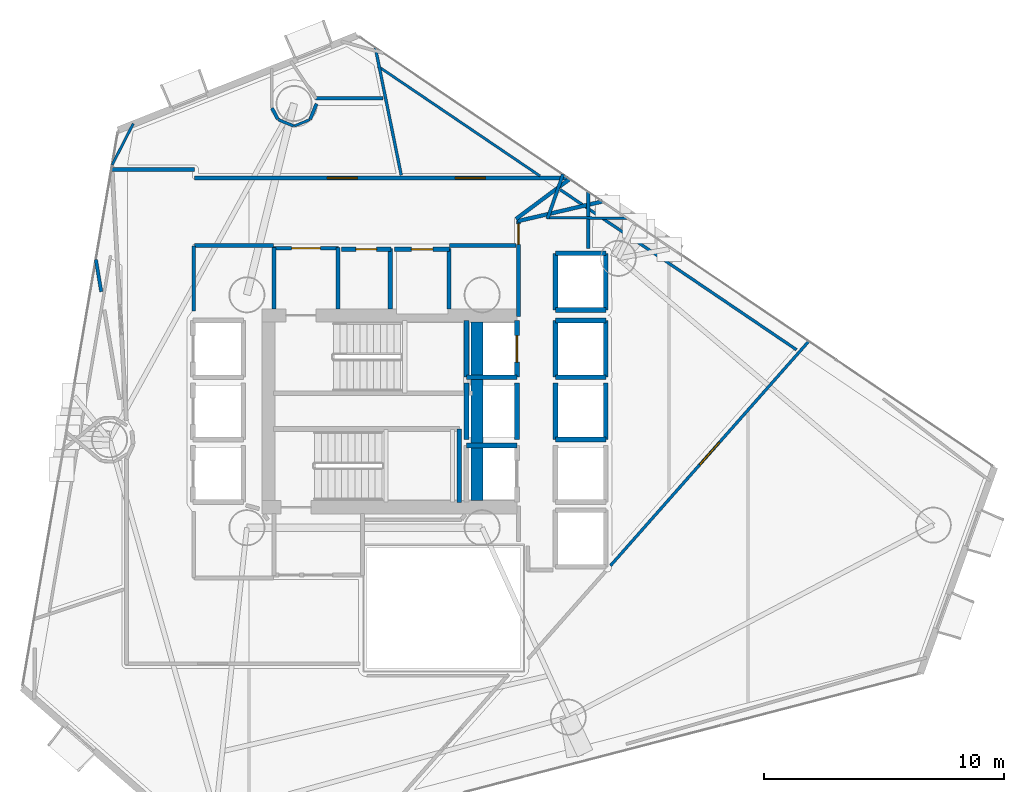
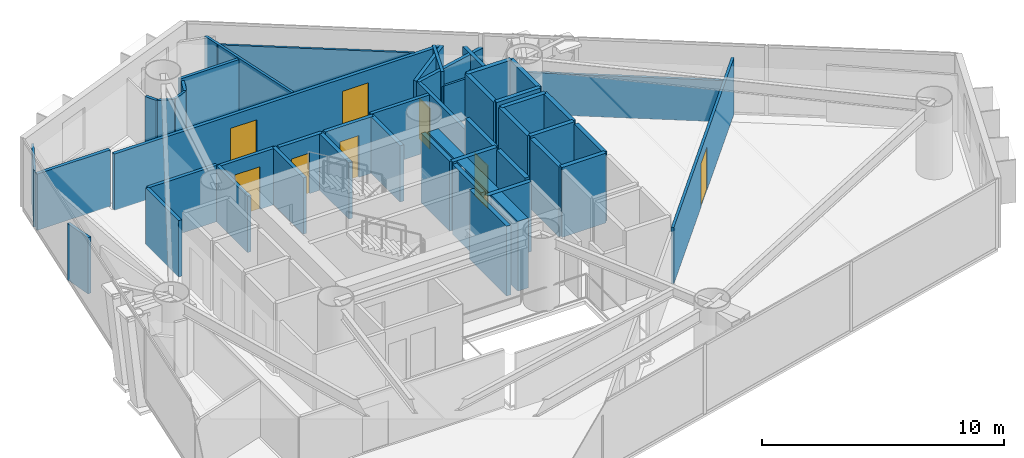
# One storey, part 17 of 21: 48 walls, 8 doors, 8 openings.
"""IFC4 building model written with IfcOpenShell, lengths in metres."""

from ifc_helpers import new_model, si_unit, direction, frame, frame_2d, origin, place, context, subcontext, project, spatial, rectangle, extrude, material, layer, layer_set, type_object, element, fill, save


model = new_model("IFC4")

# Units and contexts
model_context = context("Model", 3, precision=1e-05, world=origin(), true_north=direction((0.0, 1.0)))
body_context = subcontext(model_context, "Body", "Model", "MODEL_VIEW")
ifc_project = project(units=[si_unit("LENGTHUNIT", "METRE"), si_unit("AREAUNIT", "SQUARE_METRE"), si_unit("VOLUMEUNIT", "CUBIC_METRE"), si_unit("PLANEANGLEUNIT", "RADIAN"), si_unit("MASSUNIT", "GRAM", prefix="KILO")], contexts=[model_context])

# Site, building, storey
site_placement = place(None, origin())
site = spatial("IfcSite", under=ifc_project, at=site_placement, CompositionType="ELEMENT")
building_placement = place(site_placement, origin())
building = spatial("IfcBuilding", under=site, at=building_placement, Name="Qianvela Tower", CompositionType="ELEMENT")
storey_placement = place(building_placement, frame((0.0, 0.0, 112.60009765625)))
storey = spatial("IfcBuildingStorey", under=building, at=storey_placement, Name="L28", CompositionType="ELEMENT", Elevation=112.60009765625)

# Walls
ifc_material_1 = material(Name="Concrete C60", Category="concrete")
ifc_layer_1 = layer(ifc_material_1, 0.550048828125)
ifc_layer_set_1 = layer_set([ifc_layer_1], Name="Concrete C60")
wall_type_1 = type_object("IfcWallType", Name="WT-CORE-550", PredefinedType="SHEAR", material=ifc_layer_set_1)
wall_1_placement = place(storey_placement, frame((38.179931640625, 24.97998046875, 0.0), z_axis=(0.0, 0.0, 1.0), x_axis=(0.0, 1.0, 0.0)))
element("IfcWall", 1, at=wall_1_placement, inside=storey, type_object=wall_type_1, Name="L28 East Spine Core Shear Wall", PredefinedType="SHEAR", context=body_context, shape_type="SweptSolid", body=[
    extrude(rectangle(XDim=7.43994140625, YDim=0.5, at=frame_2d((3.719970703125, 0.0))), origin(), (0.0, 0.0, 1.0), 3.52001953125),
])
ifc_material_2 = material(Name="Fire-Rated Gypsum and Concrete Block", Category="concrete")
ifc_layer_2 = layer(ifc_material_2, 0.159912109375)
ifc_layer_set_2 = layer_set([ifc_layer_2], Name="Fire-Rated Gypsum and Concrete Block")
wall_type_2 = type_object("IfcWallType", Name="WT-CORR-160", PredefinedType="PARTITIONING", material=ifc_layer_set_2)
wall_2_placement = place(storey_placement, frame((29.73095703125, 32.9580078125, 0.0), z_axis=(0.0, 0.0, 1.0), x_axis=(0.0, 1.0, 0.0)))
element("IfcWall", 2, at=wall_2_placement, inside=storey, type_object=wall_type_2, Name="L28 Partition 2", PredefinedType="PARTITIONING", context=body_context, shape_type="SweptSolid", body=[
    extrude(rectangle(XDim=2.56201171875, YDim=0.159912109375, at=frame_2d((1.281005859375, 0.0))), origin(), (0.0, 0.0, 1.0), 2.83984375),
])

# Wall, opening, door
wall_3_placement = place(storey_placement, frame((29.699951171875, 35.489013671875, 0.0), z_axis=(0.0, 0.0, 1.0), x_axis=(1.0, 0.0, 0.0)))
wall_3 = element("IfcWall", 3, at=wall_3_placement, inside=storey, type_object=wall_type_2, Name="L28 Partition 3", PredefinedType="PARTITIONING", context=body_context, shape_type="SweptSolid", body=[
    extrude(rectangle(XDim=2.719970703125, YDim=0.159912109375, at=frame_2d((1.35986328125, 0.0))), origin(), (0.0, 0.0, 1.0), 2.83984375),
])
opening_1_placement = place(wall_3_placement, frame((0.760009765625, 0.0, 0.0)))
opening_1 = element("IfcOpeningElement", 4, at=opening_1_placement, cuts=wall_3, Name="Opening D-LB1", PredefinedType="OPENING", context=body_context, shape_type="SweptSolid", body=[
    extrude(rectangle(XDim=1.199951171875, YDim=2.14990234375, at=frame_2d((0.60009765625, 1.074951171875))), frame((0.0, 0.08984375, 0.0), z_axis=(0.0, -1.0, 0.0), x_axis=(1.0, 0.0, 0.0)), (0.0, 0.0, 1.0), 0.179931640625),
])
ifc_material_3 = material(Name="Glazed Fire-Rated Steel Frame", Category="steel")
door_type_1 = type_object("IfcDoorType", Name="DT-LOBBY-FD90", OperationType="NOTDEFINED", PredefinedType="DOOR", material=ifc_material_3)
door_1_placement = place(opening_1_placement, origin())
door_1 = element("IfcDoor", 5, at=door_1_placement, inside=storey, type_object=door_type_1, Name="L28 Door L28 Firefighting Lobby North to L28 Floor Corridor", OperationType="SINGLE_SWING_RIGHT", OverallHeight=2.14990234375, OverallWidth=1.199951171875, PredefinedType="DOOR", context=body_context, shape_type="SweptSolid", body=[
    extrude(rectangle(XDim=1.199951171875, YDim=2.14990234375, at=frame_2d((0.60009765625, 1.074951171875))), frame((0.0, 0.02490234375, 0.0), z_axis=(0.0, -1.0, 0.0), x_axis=(1.0, 0.0, 0.0)), (0.0, 0.0, 1.0), 0.050048828125),
])
fill(opening_1, door_1)

# Wall
wall_4_placement = place(storey_placement, frame((32.388916015625, 35.52001953125, 0.0), z_axis=(0.0, 0.0, 1.0), x_axis=(0.0, -1.0, 0.0)))
element("IfcWall", 6, at=wall_4_placement, inside=storey, type_object=wall_type_2, Name="L28 Partition 4", PredefinedType="PARTITIONING", context=body_context, shape_type="SweptSolid", body=[
    extrude(rectangle(XDim=2.56201171875, YDim=0.159912109375, at=frame_2d((1.281005859375, 0.0))), origin(), (0.0, 0.0, 1.0), 2.83984375),
])

# Wall, opening, door
wall_5_placement = place(storey_placement, frame((39.910888671875, 32.639892578125, 0.0), z_axis=(0.0, 0.0, 1.0), x_axis=(0.0, 1.0, 0.0)))
wall_5 = element("IfcWall", 7, at=wall_5_placement, inside=storey, type_object=wall_type_2, Name="L28 Partition 10", PredefinedType="PARTITIONING", context=body_context, shape_type="SweptSolid", body=[
    extrude(rectangle(XDim=4.010009765625, YDim=0.159912109375, at=frame_2d((2.0048828125, 0.0))), origin(), (0.0, 0.0, 1.0), 2.83984375),
])
opening_2_placement = place(wall_5_placement, frame((3.010009765625, 0.0, 0.0)))
opening_2 = element("IfcOpeningElement", 8, at=opening_2_placement, cuts=wall_5, Name="Opening D-LB2", PredefinedType="OPENING", context=body_context, shape_type="SweptSolid", body=[
    extrude(rectangle(XDim=0.860107421875, YDim=2.050048828125, at=frame_2d((0.43017578125, 1.02490234375))), frame((0.0, 0.08984375, 0.0), z_axis=(0.0, -1.0, 0.0), x_axis=(1.0, 0.0, 0.0)), (0.0, 0.0, 1.0), 0.179931640625),
])
ifc_material_4 = material(Name="Insulated Steel Fire Door Q355B", Category="steel")
door_type_2 = type_object("IfcDoorType", Name="DT-LOBBY-FD90-860", OperationType="NOTDEFINED", PredefinedType="DOOR", material=ifc_material_4)
door_2_placement = place(opening_2_placement, origin())
door_2 = element("IfcDoor", 9, at=door_2_placement, inside=storey, type_object=door_type_2, Name="L28 Door L28 Lift Lobby to L28 Floor Corridor", OperationType="SINGLE_SWING_LEFT", OverallHeight=2.050048828125, OverallWidth=0.860107421875, PredefinedType="DOOR", context=body_context, shape_type="SweptSolid", body=[
    extrude(rectangle(XDim=0.860107421875, YDim=2.050048828125, at=frame_2d((0.43017578125, 1.02490234375))), frame((0.0, 0.02490234375, 0.0), z_axis=(0.0, -1.0, 0.0), x_axis=(1.0, 0.0, 0.0)), (0.0, 0.0, 1.0), 0.050048828125),
])
fill(opening_2, door_2)

# Walls
wall_6_placement = place(storey_placement, frame((39.8798828125, 36.618896484375, 0.0), z_axis=(0.0, 0.0, 1.0), x_axis=(0.973960950435, 0.2267158288, 0.0)))
element("IfcWall", 10, at=wall_6_placement, inside=storey, type_object=wall_type_2, Name="L28 Partition 11", PredefinedType="PARTITIONING", context=body_context, shape_type="SweptSolid", body=[
    extrude(rectangle(XDim=3.620361328125, YDim=0.159912109375, at=frame_2d((1.81005859375, 0.0))), origin(), (0.0, 0.0, 1.0), 2.83984375),
])
wall_7_placement = place(storey_placement, frame((42.819091796875, 37.857177734375, 0.0), z_axis=(0.0, 0.0, 1.0), x_axis=(0.0, -1.0, 0.0)))
element("IfcWall", 11, at=wall_7_placement, inside=storey, type_object=wall_type_2, Name="L28 Partition 12", PredefinedType="PARTITIONING", context=body_context, shape_type="SweptSolid", body=[
    extrude(rectangle(XDim=2.377197265625, YDim=0.159912109375, at=frame_2d((1.1884765625, 0.0))), origin(), (0.0, 0.0, 1.0), 2.83984375),
])
wall_8_placement = place(storey_placement, frame((22.93359375, 38.76904296875, 0.0), z_axis=(0.0, 0.0, 1.0), x_axis=(1.0, 0.0, 0.0)))
element("IfcWall", 12, at=wall_8_placement, inside=storey, type_object=wall_type_2, Name="L28 Partition 41", PredefinedType="PARTITIONING", context=body_context, shape_type="SweptSolid", body=[
    extrude(rectangle(XDim=3.486328125, YDim=0.159912109375, at=frame_2d((1.7431640625, 0.0))), origin(), (0.0, 0.0, 1.0), 2.83984375),
])

# Wall, openings, doors
wall_9_placement = place(storey_placement, frame((26.419921875, 38.4189453125, 0.0), z_axis=(0.0, 0.0, 1.0), x_axis=(1.0, 0.0, 0.0)))
wall_9 = element("IfcWall", 13, at=wall_9_placement, inside=storey, type_object=wall_type_2, Name="L28 Partition 42", PredefinedType="PARTITIONING", context=body_context, shape_type="SweptSolid", body=[
    extrude(rectangle(XDim=15.56005859375, YDim=0.159912109375, at=frame_2d((7.780029296875, 0.0))), origin(), (0.0, 0.0, 1.0), 2.83984375),
])
opening_3_placement = place(wall_9_placement, frame((10.865478515625, 0.0, 0.0)))
opening_3 = element("IfcOpeningElement", 14, at=opening_3_placement, cuts=wall_9, Name="Opening D-LG1", PredefinedType="OPENING", context=body_context, shape_type="SweptSolid", body=[
    extrude(rectangle(XDim=1.25, YDim=2.199951171875, at=frame_2d((0.625, 1.10009765625))), frame((0.0, 0.08984375, 0.0), z_axis=(0.0, -1.0, 0.0), x_axis=(1.0, 0.0, 0.0)), (0.0, 0.0, 1.0), 0.179931640625),
])
opening_4_placement = place(wall_9_placement, frame((5.531982421875, 0.0, 0.0)))
opening_4 = element("IfcOpeningElement", 15, at=opening_4_placement, cuts=wall_9, Name="Opening D-LG1", PredefinedType="OPENING", context=body_context, shape_type="SweptSolid", body=[
    extrude(rectangle(XDim=1.25, YDim=2.199951171875, at=frame_2d((0.625, 1.10009765625))), frame((0.0, 0.08984375, 0.0), z_axis=(0.0, -1.0, 0.0), x_axis=(1.0, 0.0, 0.0)), (0.0, 0.0, 1.0), 0.179931640625),
])
ifc_material_5 = material(Name="Anodised Aluminium Acoustic Glass Door", Category="aluminium")
door_type_3 = type_object("IfcDoorType", Name="DT-LOUNGE-1250", OperationType="NOTDEFINED", PredefinedType="DOOR", material=ifc_material_5)
door_3_placement = place(opening_3_placement, origin())
door_3 = element("IfcDoor", 16, at=door_3_placement, inside=storey, type_object=door_type_3, Name="L28 Door Quiet Desk Workspace L28-02 to L28 Floor Corridor", OperationType="SINGLE_SWING_RIGHT", OverallHeight=2.199951171875, OverallWidth=1.25, PredefinedType="DOOR", context=body_context, shape_type="SweptSolid", body=[
    extrude(rectangle(XDim=1.25, YDim=2.199951171875, at=frame_2d((0.625, 1.10009765625))), frame((0.0, 0.02490234375, 0.0), z_axis=(0.0, -1.0, 0.0), x_axis=(1.0, 0.0, 0.0)), (0.0, 0.0, 1.0), 0.050048828125),
])
fill(opening_3, door_3)
door_4_placement = place(opening_4_placement, origin())
door_4 = element("IfcDoor", 17, at=door_4_placement, inside=storey, type_object=door_type_3, Name="L28 Door Academic Cellular Office L28-03 to L28 Floor Corridor", OperationType="SINGLE_SWING_LEFT", OverallHeight=2.199951171875, OverallWidth=1.25, PredefinedType="DOOR", context=body_context, shape_type="SweptSolid", body=[
    extrude(rectangle(XDim=1.25, YDim=2.199951171875, at=frame_2d((0.625, 1.10009765625))), frame((0.0, 0.02490234375, 0.0), z_axis=(0.0, -1.0, 0.0), x_axis=(1.0, 0.0, 0.0)), (0.0, 0.0, 1.0), 0.050048828125),
])
fill(opening_4, door_4)

# Walls
wall_10_placement = place(storey_placement, frame((42.05322265625, 38.378662109375, 0.0), z_axis=(0.0, 0.0, 1.0), x_axis=(-0.802246834953, -0.596992475504, 0.0)))
element("IfcWall", 18, at=wall_10_placement, inside=storey, type_object=wall_type_2, Name="L28 Partition 44", PredefinedType="PARTITIONING", context=body_context, shape_type="SweptSolid", body=[
    extrude(rectangle(XDim=2.79638671875, YDim=0.159912109375, at=frame_2d((1.398193359375, 0.0))), origin(), (0.0, 0.0, 1.0), 2.83984375),
])
wall_11_placement = place(storey_placement, frame((39.818115234375, 35.611083984375, 0.0), z_axis=(0.0, 0.0, 1.0), x_axis=(-1.0, 0.0, 0.0)))
element("IfcWall", 19, at=wall_11_placement, inside=storey, type_object=wall_type_2, Name="L28 Partition 46 seg 1", PredefinedType="PARTITIONING", context=body_context, shape_type="SweptSolid", body=[
    extrude(rectangle(XDim=2.76806640625, YDim=0.159912109375, at=frame_2d((1.384033203125, 0.0))), origin(), (0.0, 0.0, 1.0), 2.83984375),
])
wall_12_placement = place(storey_placement, frame((29.699951171875, 35.611083984375, 0.0), z_axis=(0.0, 0.0, 1.0), x_axis=(-1.0, 0.0, 0.0)))
element("IfcWall", 20, at=wall_12_placement, inside=storey, type_object=wall_type_2, Name="L28 Partition 46 seg 4", PredefinedType="PARTITIONING", context=body_context, shape_type="SweptSolid", body=[
    extrude(rectangle(XDim=3.280029296875, YDim=0.159912109375, at=frame_2d((1.64013671875, 0.0))), origin(), (0.0, 0.0, 1.0), 2.83984375),
])
wall_13_placement = place(storey_placement, frame((26.388916015625, 35.580078125, 0.0), z_axis=(0.0, 0.0, 1.0), x_axis=(0.0, -1.0, 0.0)))
element("IfcWall", 21, at=wall_13_placement, inside=storey, type_object=wall_type_2, Name="L28 Partition 47", PredefinedType="PARTITIONING", context=body_context, shape_type="SweptSolid", body=[
    extrude(rectangle(XDim=2.71044921875, YDim=0.159912109375, at=frame_2d((1.355224609375, 0.0))), origin(), (0.0, 0.0, 1.0), 2.83984375),
])
ifc_material_6 = material(Name="Lightweight Gypsum Room Partition")
ifc_layer_3 = layer(ifc_material_6, 0.10498046875)
ifc_layer_set_3 = layer_set([ifc_layer_3], Name="Lightweight Gypsum Room Partition")
wall_type_3 = type_object("IfcWallType", Name="WT-PART-105", PredefinedType="PARTITIONING", material=ifc_layer_set_3)
wall_14_placement = place(storey_placement, frame((44.45361328125, 36.743408203125, 0.0), z_axis=(0.0, 0.0, 1.0), x_axis=(-0.999986322379, 0.005230205958, 0.0)))
element("IfcWall", 22, at=wall_14_placement, inside=storey, type_object=wall_type_3, Name="L28 Partition 77", PredefinedType="PARTITIONING", context=body_context, shape_type="SweptSolid", body=[
    extrude(rectangle(XDim=3.36083984375, YDim=0.10498046875, at=frame_2d((1.680419921875, 0.0))), origin(), (0.0, 0.0, 1.0), 2.094970703125),
])
wall_15_placement = place(storey_placement, frame((34.05224609375, 43.079833984375, 0.0), z_axis=(0.0, 0.0, 1.0), x_axis=(0.827934826591, -0.560824324471, 0.0)))
element("IfcWall", 23, at=wall_15_placement, inside=storey, type_object=wall_type_3, Name="L28 Partition 83", PredefinedType="PARTITIONING", context=body_context, shape_type="SweptSolid", body=[
    extrude(rectangle(XDim=8.158447265625, YDim=0.10498046875, at=frame_2d((4.0791015625, 0.0))), origin(), (0.0, 0.0, 1.0), 2.83984375),
])
wall_16_placement = place(storey_placement, frame((22.988037109375, 38.96826171875, 0.0), z_axis=(0.0, 0.0, 1.0), x_axis=(0.456105833623, 0.889925541006, 0.0)))
element("IfcWall", 24, at=wall_16_placement, inside=storey, type_object=wall_type_3, Name="L28 Partition 86", PredefinedType="PARTITIONING", context=body_context, shape_type="SweptSolid", body=[
    extrude(rectangle(XDim=1.927978515625, YDim=0.10498046875, at=frame_2d((0.9638671875, 0.0))), origin(), (0.0, 0.0, 1.0), 2.83984375),
])
wall_17_placement = place(storey_placement, frame((30.575927734375, 40.58251953125, 0.0), z_axis=(0.0, 0.0, 1.0), x_axis=(0.923935648299, 0.382547928764, 0.0)))
element("IfcWall", 25, at=wall_17_placement, inside=storey, type_object=wall_type_3, Name="L28 Partition 98", PredefinedType="PARTITIONING", context=body_context, shape_type="SweptSolid", body=[
    extrude(rectangle(XDim=0.6962890625, YDim=0.10498046875, at=frame_2d((0.34814453125, 0.0))), origin(), (0.0, 0.0, 1.0), 2.83984375),
])

# Wall, opening, door
ifc_material_7 = material(Name="Insulated Gypsum Stud Partition")
ifc_layer_4 = layer(ifc_material_7, 0.1201171875)
ifc_layer_set_4 = layer_set([ifc_layer_4], Name="Insulated Gypsum Stud Partition")
wall_type_4 = type_object("IfcWallType", Name="WT-PART-120", PredefinedType="PARTITIONING", material=ifc_layer_set_4)
wall_18_placement = place(storey_placement, frame((43.74267578125, 22.263916015625, 0.0), z_axis=(0.0, 0.0, 1.0), x_axis=(0.662202897959, 0.749324577159, 0.0)))
wall_18 = element("IfcWall", 26, at=wall_18_placement, inside=storey, type_object=wall_type_4, Name="L28 Partition 64", PredefinedType="PARTITIONING", context=body_context, shape_type="SweptSolid", body=[
    extrude(rectangle(XDim=12.498291015625, YDim=0.1201171875, at=frame_2d((6.2490234375, 0.0))), origin(), (0.0, 0.0, 1.0), 2.83984375),
])
opening_5_placement = place(wall_18_placement, frame((5.6240234375, 0.0, 0.0)))
opening_5 = element("IfcOpeningElement", 27, at=opening_5_placement, cuts=wall_18, Name="Opening D-LG1", PredefinedType="OPENING", context=body_context, shape_type="SweptSolid", body=[
    extrude(rectangle(XDim=1.25, YDim=2.199951171875, at=frame_2d((0.625, 1.10009765625))), frame((0.0, 0.070068359375, 0.0), z_axis=(0.0, -1.0, 0.0), x_axis=(1.0, 0.0, 0.0)), (0.0, 0.0, 1.0), 0.14013671875),
])
door_5_placement = place(opening_5_placement, origin())
door_5 = element("IfcDoor", 28, at=door_5_placement, inside=storey, type_object=door_type_3, Name="L28 Door Academic Cellular Office L28-01C to Quiet Desk Workspace L28-01B", OperationType="SINGLE_SWING_RIGHT", OverallHeight=2.199951171875, OverallWidth=1.25, PredefinedType="DOOR", context=body_context, shape_type="SweptSolid", body=[
    extrude(rectangle(XDim=1.25, YDim=2.199951171875, at=frame_2d((0.625, 1.10009765625))), frame((0.0, 0.02490234375, 0.0), z_axis=(0.0, -1.0, 0.0), x_axis=(1.0, 0.0, 0.0)), (0.0, 0.0, 1.0), 0.050048828125),
])
fill(opening_5, door_5)

# Walls
wall_19_placement = place(storey_placement, frame((41.650146484375, 37.93310546875, 0.0), z_axis=(0.0, 0.0, 1.0), x_axis=(0.827941747022, -0.560814107827, 0.0)))
element("IfcWall", 29, at=wall_19_placement, inside=storey, type_object=wall_type_4, Name="L28 Partition 79", PredefinedType="PARTITIONING", context=body_context, shape_type="SweptSolid", body=[
    extrude(rectangle(XDim=11.89501953125, YDim=0.1201171875, at=frame_2d((5.947509765625, 0.0))), origin(), (0.0, 0.0, 1.0), 2.094970703125),
])
wall_20_placement = place(storey_placement, frame((35.029052734375, 38.5361328125, 0.0), z_axis=(0.0, 0.0, 1.0), x_axis=(-0.198965568746, 0.980006480822, 0.0)))
element("IfcWall", 30, at=wall_20_placement, inside=storey, type_object=wall_type_4, Name="L28 Partition 82", PredefinedType="PARTITIONING", context=body_context, shape_type="SweptSolid", body=[
    extrude(rectangle(XDim=5.435791015625, YDim=0.1201171875, at=frame_2d((2.7177734375, 0.0))), origin(), (0.0, 0.0, 1.0), 2.83984375),
])
wall_21_placement = place(storey_placement, frame((29.90869140625, 40.848876953125, 0.0), z_axis=(0.0, 0.0, 1.0), x_axis=(0.923935648299, -0.382547928764, 0.0)))
element("IfcWall", 31, at=wall_21_placement, inside=storey, type_object=wall_type_4, Name="L28 Partition 97", PredefinedType="PARTITIONING", context=body_context, shape_type="SweptSolid", body=[
    extrude(rectangle(XDim=0.6962890625, YDim=0.1201171875, at=frame_2d((0.34814453125, 0.0))), origin(), (0.0, 0.0, 1.0), 2.83984375),
])

# Wall, opening, door
ifc_material_8 = material(Name="Moisture-Resistant Acoustic Plumbing Wall")
ifc_layer_5 = layer(ifc_material_8, 0.175048828125)
ifc_layer_set_5 = layer_set([ifc_layer_5], Name="Moisture-Resistant Acoustic Plumbing Wall")
wall_type_5 = type_object("IfcWallType", Name="WT-PLUMB-175", PredefinedType="PLUMBINGWALL", material=ifc_layer_set_5)
wall_22_placement = place(storey_placement, frame((32.550048828125, 35.448974609375, 0.0), z_axis=(0.0, 0.0, 1.0), x_axis=(1.0, 0.0, 0.0)))
wall_22 = element("IfcWall", 32, at=wall_22_placement, inside=storey, type_object=wall_type_5, Name="L28 Partition 20", PredefinedType="PLUMBINGWALL", context=body_context, shape_type="SweptSolid", body=[
    extrude(rectangle(XDim=2.050048828125, YDim=0.175048828125, at=frame_2d((1.02490234375, 0.0))), origin(), (0.0, 0.0, 1.0), 2.83984375),
])
opening_6_placement = place(wall_22_placement, frame((0.594970703125, 0.0, 0.0)))
opening_6 = element("IfcOpeningElement", 33, at=opening_6_placement, cuts=wall_22, Name="Opening D-WC1", PredefinedType="OPENING", context=body_context, shape_type="SweptSolid", body=[
    extrude(rectangle(XDim=0.860107421875, YDim=2.050048828125, at=frame_2d((0.43017578125, 1.02490234375))), frame((0.0, 0.097412109375, 0.0), z_axis=(0.0, -1.0, 0.0), x_axis=(1.0, 0.0, 0.0)), (0.0, 0.0, 1.0), 0.195068359375),
])
ifc_material_9 = material(Name="Moisture-Sealed Acoustic Timber Door", Category="wood")
door_type_4 = type_object("IfcDoorType", Name="DT-WC-860", OperationType="NOTDEFINED", PredefinedType="DOOR", material=ifc_material_9)
door_6_placement = place(opening_6_placement, origin())
door_6 = element("IfcDoor", 34, at=door_6_placement, inside=storey, type_object=door_type_4, Name="L28 Door L28 Accessible WC to L28 Floor Corridor", OperationType="SINGLE_SWING_RIGHT", OverallHeight=2.050048828125, OverallWidth=0.860107421875, PredefinedType="DOOR", context=body_context, shape_type="SweptSolid", body=[
    extrude(rectangle(XDim=0.860107421875, YDim=2.050048828125, at=frame_2d((0.43017578125, 1.02490234375))), frame((0.0, 0.02490234375, 0.0), z_axis=(0.0, -1.0, 0.0), x_axis=(1.0, 0.0, 0.0)), (0.0, 0.0, 1.0), 0.050048828125),
])
fill(opening_6, door_6)

# Wall
wall_23_placement = place(storey_placement, frame((34.569091796875, 35.47998046875, 0.0), z_axis=(0.0, 0.0, 1.0), x_axis=(0.0, -1.0, 0.0)))
element("IfcWall", 35, at=wall_23_placement, inside=storey, type_object=wall_type_5, Name="L28 Partition 21", PredefinedType="PLUMBINGWALL", context=body_context, shape_type="SweptSolid", body=[
    extrude(rectangle(XDim=2.52197265625, YDim=0.175048828125, at=frame_2d((1.260986328125, 0.0))), origin(), (0.0, 0.0, 1.0), 2.83984375),
])

# Wall, opening, door
wall_24_placement = place(storey_placement, frame((34.75, 35.448974609375, 0.0), z_axis=(0.0, 0.0, 1.0), x_axis=(1.0, 0.0, 0.0)))
wall_24 = element("IfcWall", 36, at=wall_24_placement, inside=storey, type_object=wall_type_5, Name="L28 Partition 24", PredefinedType="PLUMBINGWALL", context=body_context, shape_type="SweptSolid", body=[
    extrude(rectangle(XDim=2.300048828125, YDim=0.175048828125, at=frame_2d((1.14990234375, 0.0))), origin(), (0.0, 0.0, 1.0), 2.83984375),
])
opening_7_placement = place(wall_24_placement, frame((0.699951171875, 0.0, 0.0)))
opening_7 = element("IfcOpeningElement", 37, at=opening_7_placement, cuts=wall_24, Name="Opening D-KT1", PredefinedType="OPENING", context=body_context, shape_type="SweptSolid", body=[
    extrude(rectangle(XDim=0.89990234375, YDim=2.10009765625, at=frame_2d((0.449951171875, 1.050048828125))), frame((0.0, 0.097412109375, 0.0), z_axis=(0.0, -1.0, 0.0), x_axis=(1.0, 0.0, 0.0)), (0.0, 0.0, 1.0), 0.195068359375),
])
ifc_material_10 = material(Name="Glazed Timber Kitchen Door", Category="wood")
door_type_5 = type_object("IfcDoorType", Name="DT-KITCH-900", OperationType="NOTDEFINED", PredefinedType="DOOR", material=ifc_material_10)
door_7_placement = place(opening_7_placement, origin())
door_7 = element("IfcDoor", 38, at=door_7_placement, inside=storey, type_object=door_type_5, Name="L28 Door L28 Core Tea Pantry to L28 Floor Corridor", OperationType="SINGLE_SWING_LEFT", OverallHeight=2.10009765625, OverallWidth=0.89990234375, PredefinedType="DOOR", context=body_context, shape_type="SweptSolid", body=[
    extrude(rectangle(XDim=0.89990234375, YDim=2.10009765625, at=frame_2d((0.449951171875, 1.050048828125))), frame((0.0, 0.02490234375, 0.0), z_axis=(0.0, -1.0, 0.0), x_axis=(1.0, 0.0, 0.0)), (0.0, 0.0, 1.0), 0.050048828125),
])
fill(opening_7, door_7)

# Walls
wall_25_placement = place(storey_placement, frame((37.01904296875, 35.47998046875, 0.0), z_axis=(0.0, 0.0, 1.0), x_axis=(0.0, -1.0, 0.0)))
element("IfcWall", 39, at=wall_25_placement, inside=storey, type_object=wall_type_5, Name="L28 Partition 25", PredefinedType="PLUMBINGWALL", context=body_context, shape_type="SweptSolid", body=[
    extrude(rectangle(XDim=2.52197265625, YDim=0.175048828125, at=frame_2d((1.260986328125, 0.0))), origin(), (0.0, 0.0, 1.0), 2.83984375),
])
ifc_material_11 = material(Name="Acoustic Double Gypsum Stud Partition")
ifc_layer_6 = layer(ifc_material_11, 0.139892578125)
ifc_layer_set_6 = layer_set([ifc_layer_6], Name="Acoustic Double Gypsum Stud Partition")
wall_type_6 = type_object("IfcWallType", Name="WT-ROOM-140", PredefinedType="PARTITIONING", material=ifc_layer_set_6)
wall_26_placement = place(storey_placement, frame((41.121826171875, 36.7197265625, 0.0), z_axis=(0.0, 0.0, 1.0), x_axis=(0.329225111587, 0.944251463277, 0.0)))
element("IfcWall", 40, at=wall_26_placement, inside=storey, type_object=wall_type_6, Name="L28 Partition 78", PredefinedType="PARTITIONING", context=body_context, shape_type="SweptSolid", body=[
    extrude(rectangle(XDim=1.962158203125, YDim=0.139892578125, at=frame_2d((0.98095703125, 0.0))), origin(), (0.0, 0.0, 1.0), 2.83984375),
])
wall_27_placement = place(storey_placement, frame((34.267333984375, 41.739990234375, 0.0), z_axis=(0.0, 0.0, 1.0), x_axis=(-0.999996830361, -0.002517790248, 0.0)))
element("IfcWall", 41, at=wall_27_placement, inside=storey, type_object=wall_type_6, Name="L28 Partition 90", PredefinedType="PARTITIONING", context=body_context, shape_type="SweptSolid", body=[
    extrude(rectangle(XDim=2.81201171875, YDim=0.139892578125, at=frame_2d((1.406005859375, 0.0))), origin(), (0.0, 0.0, 1.0), 2.83984375),
])
wall_28_placement = place(storey_placement, frame((29.64404296875, 41.328857421875, 0.0), z_axis=(0.0, 0.0, 1.0), x_axis=(0.471618839574, -0.881802511994, 0.0)))
element("IfcWall", 42, at=wall_28_placement, inside=storey, type_object=wall_type_6, Name="L28 Partition 96", PredefinedType="PARTITIONING", context=body_context, shape_type="SweptSolid", body=[
    extrude(rectangle(XDim=0.528564453125, YDim=0.139892578125, at=frame_2d((0.26416015625, 0.0))), origin(), (0.0, 0.0, 1.0), 2.83984375),
])
wall_29_placement = place(storey_placement, frame((31.236083984375, 40.86572265625, 0.0), z_axis=(0.0, 0.0, 1.0), x_axis=(0.381929177829, 0.92419159438, 0.0)))
element("IfcWall", 43, at=wall_29_placement, inside=storey, type_object=wall_type_6, Name="L28 Partition 99", PredefinedType="PARTITIONING", context=body_context, shape_type="SweptSolid", body=[
    extrude(rectangle(XDim=0.697509765625, YDim=0.139892578125, at=frame_2d((0.3486328125, 0.0))), origin(), (0.0, 0.0, 1.0), 2.83984375),
])
wall_30_placement = place(storey_placement, frame((22.308349609375, 35.017333984375, 0.0), z_axis=(0.0, 0.0, 1.0), x_axis=(0.166093075261, -0.98611008024, 0.0)))
element("IfcWall", 44, at=wall_30_placement, inside=storey, type_object=wall_type_6, Name="L28 Partition 114 seg 1 trim 1", PredefinedType="PARTITIONING", context=body_context, shape_type="SweptSolid", body=[
    extrude(rectangle(XDim=1.355224609375, YDim=0.139892578125, at=frame_2d((0.677734375, 0.0))), origin(), (0.0, 0.0, 1.0), 2.83984375),
])
ifc_material_12 = material(Name="Concrete C50", Category="concrete")
ifc_layer_7 = layer(ifc_material_12, 0.199951171875)
ifc_layer_set_7 = layer_set([ifc_layer_7], Name="Concrete C50")
wall_type_7 = type_object("IfcWallType", Name="WT-SHAFT-200", PredefinedType="SOLIDWALL", material=ifc_layer_set_7)
wall_31_placement = place(storey_placement, frame((37.449951171875, 24.89990234375, 0.0), z_axis=(0.0, 0.0, 1.0), x_axis=(0.0, 1.0, 0.0)))
element("IfcWall", 45, at=wall_31_placement, inside=storey, type_object=wall_type_7, Name="L28 Stair ST-2 East Wall", PredefinedType="SOLIDWALL", context=body_context, shape_type="SweptSolid", body=[
    extrude(rectangle(XDim=3.06005859375, YDim=0.199951171875, at=frame_2d((1.530029296875, 0.0))), origin(), (0.0, 0.0, 1.0), 3.52001953125),
])

# Wall, opening, door
wall_32_placement = place(storey_placement, frame((39.85009765625, 30.1201171875, 0.0), z_axis=(0.0, 0.0, 1.0), x_axis=(0.0, 1.0, 0.0)))
wall_32 = element("IfcWall", 46, at=wall_32_placement, inside=storey, type_object=wall_type_7, Name="L28 Lift FL-1 E Shaft Wall", PredefinedType="SOLIDWALL", context=body_context, shape_type="SweptSolid", body=[
    extrude(rectangle(XDim=2.35986328125, YDim=0.199951171875, at=frame_2d((1.179931640625, 0.0))), origin(), (0.0, 0.0, 1.0), 3.52001953125),
])
opening_8_placement = place(wall_32_placement, frame((0.6298828125, 0.0, 0.0)))
opening_8 = element("IfcOpeningElement", 47, at=opening_8_placement, cuts=wall_32, Name="Opening LD-01", PredefinedType="OPENING", context=body_context, shape_type="SweptSolid", body=[
    extrude(rectangle(XDim=1.10009765625, YDim=2.14990234375, at=frame_2d((0.550048828125, 1.074951171875))), frame((0.0, 0.10986328125, 0.0), z_axis=(0.0, -1.0, 0.0), x_axis=(1.0, 0.0, 0.0)), (0.0, 0.0, 1.0), 0.219970703125),
])
ifc_material_13 = material(Name="Brushed Stainless Steel Lift Landing Door", Category="steel")
door_type_6 = type_object("IfcDoorType", Name="DT-LIFT-SLIDE-1100", OperationType="SLIDING_TO_LEFT", PredefinedType="DOOR", material=ifc_material_13)
door_8_placement = place(opening_8_placement, origin())
door_8 = element("IfcDoor", 48, at=door_8_placement, inside=storey, type_object=door_type_6, Name="L28 Lift FL-1 Sliding Landing Door", OperationType="SLIDING_TO_LEFT", OverallHeight=2.14990234375, OverallWidth=1.10009765625, PredefinedType="DOOR", context=body_context, shape_type="SweptSolid", body=[
    extrude(rectangle(XDim=1.10009765625, YDim=2.14990234375, at=frame_2d((0.550048828125, 1.074951171875))), frame((0.0, 0.02490234375, 0.0), z_axis=(0.0, -1.0, 0.0), x_axis=(1.0, 0.0, 0.0)), (0.0, 0.0, 1.0), 0.050048828125),
])
fill(opening_8, door_8)

# Walls
wall_33_placement = place(storey_placement, frame((37.75, 30.1201171875, 0.0), z_axis=(0.0, 0.0, 1.0), x_axis=(0.0, 1.0, 0.0)))
element("IfcWall", 49, at=wall_33_placement, inside=storey, type_object=wall_type_7, Name="L28 Lift FL-1 W Shaft Wall", PredefinedType="SOLIDWALL", context=body_context, shape_type="SweptSolid", body=[
    extrude(rectangle(XDim=2.35986328125, YDim=0.199951171875, at=frame_2d((1.179931640625, 0.0))), origin(), (0.0, 0.0, 1.0), 3.52001953125),
])
for number, where, z_axis, x_axis, name in (
    (50, (37.75, 30.1201171875, 0.0), (0.0, 0.0, 1.0), (1.0, 0.0, 0.0), "L28 Lift FL-1 S Shaft Wall"),
    (51, (37.75, 27.280029296875, 0.0), (0.0, 0.0, 1.0), (1.0, 0.0, 0.0), "L28 Lift FL-2 N Shaft Wall"),
):
    element("IfcWall", number, at=place(storey_placement, frame(where, z_axis=z_axis, x_axis=x_axis)), inside=storey, type_object=wall_type_7, Name=name, PredefinedType="SOLIDWALL", context=body_context, shape_type="SweptSolid", body=[
        extrude(rectangle(XDim=2.10009765625, YDim=0.199951171875, at=frame_2d((1.050048828125, 0.0))), origin(), (0.0, 0.0, 1.0), 3.52001953125),
    ])
for number, where, z_axis, x_axis, name in (
    (52, (43.550048828125, 30.1201171875, 0.0), (0.0, 0.0, 1.0), (0.0, 1.0, 0.0), "L28 Lift PL-M1 E Shaft Wall"),
    (53, (41.449951171875, 30.1201171875, 0.0), (0.0, 0.0, 1.0), (0.0, 1.0, 0.0), "L28 Lift PL-M1 W Shaft Wall"),
):
    element("IfcWall", number, at=place(storey_placement, frame(where, z_axis=z_axis, x_axis=x_axis)), inside=storey, type_object=wall_type_7, Name=name, PredefinedType="SOLIDWALL", context=body_context, shape_type="SweptSolid", body=[
        extrude(rectangle(XDim=2.35986328125, YDim=0.199951171875, at=frame_2d((1.179931640625, 0.0))), origin(), (0.0, 0.0, 1.0), 3.52001953125),
    ])
for number, where, z_axis, x_axis, name in (
    (54, (41.449951171875, 32.47998046875, 0.0), (0.0, 0.0, 1.0), (1.0, 0.0, 0.0), "L28 Lift PL-M1 N Shaft Wall"),
    (55, (41.449951171875, 30.1201171875, 0.0), (0.0, 0.0, 1.0), (1.0, 0.0, 0.0), "L28 Lift PL-M1 S Shaft Wall"),
):
    element("IfcWall", number, at=place(storey_placement, frame(where, z_axis=z_axis, x_axis=x_axis)), inside=storey, type_object=wall_type_7, Name=name, PredefinedType="SOLIDWALL", context=body_context, shape_type="SweptSolid", body=[
        extrude(rectangle(XDim=2.10009765625, YDim=0.199951171875, at=frame_2d((1.050048828125, 0.0))), origin(), (0.0, 0.0, 1.0), 3.52001953125),
    ])
for number, where, z_axis, x_axis, name in (
    (56, (43.550048828125, 27.52001953125, 0.0), (0.0, 0.0, 1.0), (0.0, 1.0, 0.0), "L28 Lift PL-M2 E Shaft Wall"),
    (57, (41.449951171875, 27.52001953125, 0.0), (0.0, 0.0, 1.0), (0.0, 1.0, 0.0), "L28 Lift PL-M2 W Shaft Wall"),
):
    element("IfcWall", number, at=place(storey_placement, frame(where, z_axis=z_axis, x_axis=x_axis)), inside=storey, type_object=wall_type_7, Name=name, PredefinedType="SOLIDWALL", context=body_context, shape_type="SweptSolid", body=[
        extrude(rectangle(XDim=2.35986328125, YDim=0.199951171875, at=frame_2d((1.179931640625, 0.0))), origin(), (0.0, 0.0, 1.0), 3.52001953125),
    ])
wall_34_placement = place(storey_placement, frame((41.449951171875, 27.52001953125, 0.0), z_axis=(0.0, 0.0, 1.0), x_axis=(1.0, 0.0, 0.0)))
element("IfcWall", 58, at=wall_34_placement, inside=storey, type_object=wall_type_7, Name="L28 Lift PL-M2 S Shaft Wall", PredefinedType="SOLIDWALL", context=body_context, shape_type="SweptSolid", body=[
    extrude(rectangle(XDim=2.10009765625, YDim=0.199951171875, at=frame_2d((1.050048828125, 0.0))), origin(), (0.0, 0.0, 1.0), 3.52001953125),
])
for number, where, z_axis, x_axis, name in (
    (59, (39.85009765625, 27.52001953125, 0.0), (0.0, 0.0, 1.0), (0.0, 1.0, 0.0), "L28 Lift PL-H1 E Shaft Wall"),
    (60, (37.75, 27.52001953125, 0.0), (0.0, 0.0, 1.0), (0.0, 1.0, 0.0), "L28 Lift PL-H1 W Shaft Wall"),
):
    element("IfcWall", number, at=place(storey_placement, frame(where, z_axis=z_axis, x_axis=x_axis)), inside=storey, type_object=wall_type_7, Name=name, PredefinedType="SOLIDWALL", context=body_context, shape_type="SweptSolid", body=[
        extrude(rectangle(XDim=2.35986328125, YDim=0.199951171875, at=frame_2d((1.179931640625, 0.0))), origin(), (0.0, 0.0, 1.0), 3.52001953125),
    ])
for number, where, z_axis, x_axis, name in (
    (61, (43.550048828125, 32.919921875, 0.0), (0.0, 0.0, 1.0), (0.0, 1.0, 0.0), "L28 Lift PL-H3 E Shaft Wall"),
    (62, (41.449951171875, 32.919921875, 0.0), (0.0, 0.0, 1.0), (0.0, 1.0, 0.0), "L28 Lift PL-H3 W Shaft Wall"),
):
    element("IfcWall", number, at=place(storey_placement, frame(where, z_axis=z_axis, x_axis=x_axis)), inside=storey, type_object=wall_type_7, Name=name, PredefinedType="SOLIDWALL", context=body_context, shape_type="SweptSolid", body=[
        extrude(rectangle(XDim=2.360107421875, YDim=0.199951171875, at=frame_2d((1.18017578125, 0.0))), origin(), (0.0, 0.0, 1.0), 3.52001953125),
    ])
for number, where, z_axis, x_axis, name in (
    (63, (41.449951171875, 35.280029296875, 0.0), (0.0, 0.0, 1.0), (1.0, 0.0, 0.0), "L28 Lift PL-H3 N Shaft Wall"),
    (64, (41.449951171875, 32.919921875, 0.0), (0.0, 0.0, 1.0), (1.0, 0.0, 0.0), "L28 Lift PL-H3 S Shaft Wall"),
):
    element("IfcWall", number, at=place(storey_placement, frame(where, z_axis=z_axis, x_axis=x_axis)), inside=storey, type_object=wall_type_7, Name=name, PredefinedType="SOLIDWALL", context=body_context, shape_type="SweptSolid", body=[
        extrude(rectangle(XDim=2.10009765625, YDim=0.199951171875, at=frame_2d((1.050048828125, 0.0))), origin(), (0.0, 0.0, 1.0), 3.52001953125),
    ])

save(model, "model.ifc")
